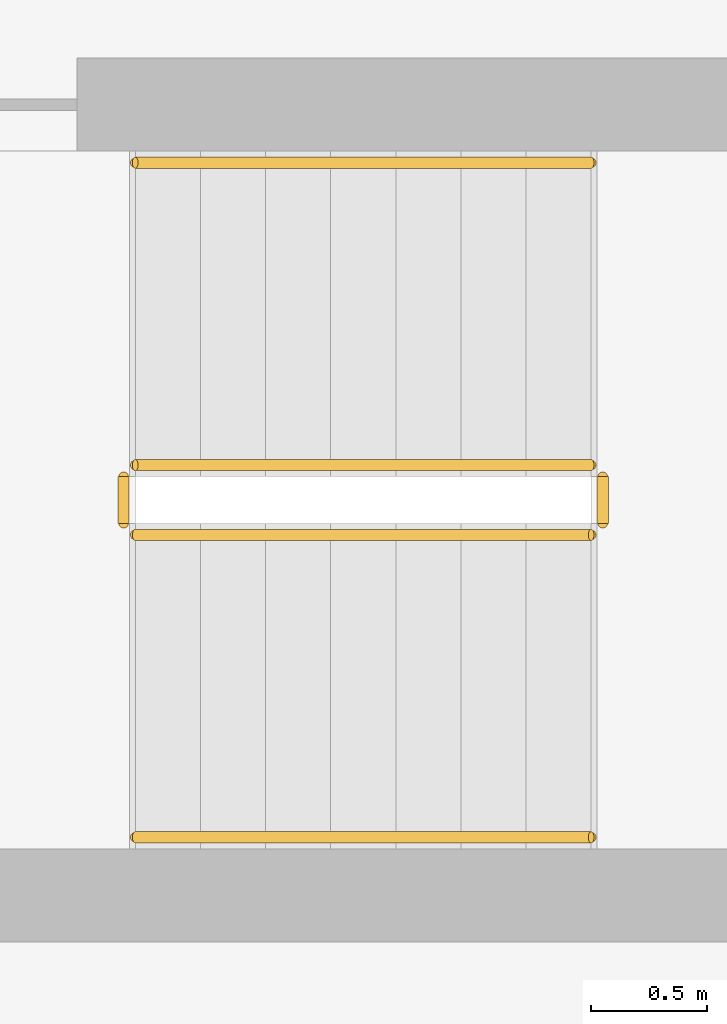
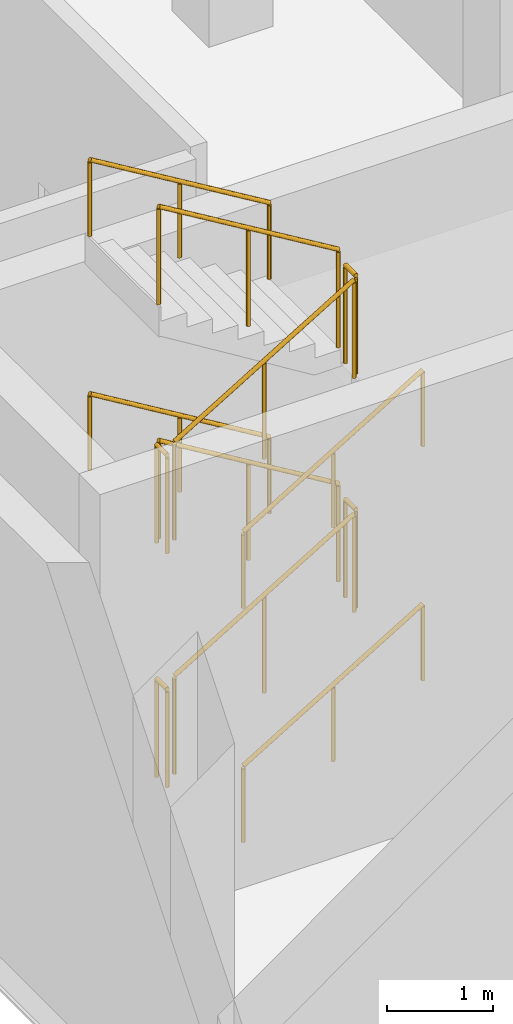
# One storey, part 32 of 36: 12 railings.
"""IFC4 building model written with IfcOpenShell, lengths in metres."""

from ifc_helpers import new_model, si_unit, direction, frame, origin, origin_2d, place, context, subcontext, project, spatial, circle, extrude, material, type_object, element, save


model = new_model("IFC4")

# Units and contexts
model_context = context("Model", 3, precision=1e-05, world=origin(), true_north=direction((0.0, 1.0)))
body_context = subcontext(model_context, "Body", "Model", "MODEL_VIEW")
ifc_project = project(units=[si_unit("LENGTHUNIT", "METRE"), si_unit("AREAUNIT", "SQUARE_METRE"), si_unit("VOLUMEUNIT", "CUBIC_METRE"), si_unit("PLANEANGLEUNIT", "RADIAN"), si_unit("MASSUNIT", "GRAM", prefix="KILO")], contexts=[model_context])

# Site, building, storey
site_placement = place(None, origin())
site = spatial("IfcSite", under=ifc_project, at=site_placement, CompositionType="ELEMENT")
building_placement = place(site_placement, origin())
building = spatial("IfcBuilding", under=site, at=building_placement, Name="Barlavira Tower and Art Museum", CompositionType="ELEMENT")
storey_placement = place(building_placement, frame((0.0, 0.0, 11.39990234375)))
storey = spatial("IfcBuildingStorey", under=building, at=storey_placement, Name="L02", CompositionType="ELEMENT", Elevation=11.39990234375)

# Railings
ifc_material = material(Name="Brushed stainless steel", Category="steel")
railing_type_1 = type_object("IfcRailingType", Name="Interior Void and Landing Guard Railing 1150", PredefinedType="GUARDRAIL", material=ifc_material)
railing_1_placement = place(storey_placement, frame((32.070068359375, -18.25, 0.1689453125)))
element("IfcRailing", 1, at=railing_1_placement, inside=storey, type_object=railing_type_1, Name="L02 ST-M1 stair guard 1", PredefinedType="GUARDRAIL", context=body_context, shape_type="SweptSolid", body=[
    extrude(circle(Radius=0.02392578125, at=origin_2d()), frame((0.0, 0.0, 1.1259765625), z_axis=(0.856493463811, 0.0, 0.516157869696), x_axis=(0.0, 1.0, 0.0)), (0.0, 0.0, 1.0), 2.288330078125),
    extrude(circle(Radius=0.02099609375, at=origin_2d()), origin(), (0.0, 0.0, 1.0), 1.101806640625),
    extrude(circle(Radius=0.02099609375, at=origin_2d()), frame((0.97998046875, 0.0, 0.590576171875)), (0.0, 0.0, 1.0), 1.101806640625),
    extrude(circle(Radius=0.02099609375, at=origin_2d()), frame((1.9599609375, 0.0, 1.18115234375)), (0.0, 0.0, 1.0), 1.101806640625),
])
railing_2_placement = place(storey_placement, frame((34.080078125, -18.199951171875, 1.35009765625)))
element("IfcRailing", 2, at=railing_2_placement, inside=storey, type_object=railing_type_1, Name="L02 ST-M1 stair guard 2", PredefinedType="GUARDRAIL", context=body_context, shape_type="SweptSolid", body=[
    extrude(circle(Radius=0.02392578125, at=origin_2d()), frame((0.0, 0.0, 1.1259765625), z_axis=(0.0, 1.0, 0.0), x_axis=(-1.0, 0.0, 0.0)), (0.0, 0.0, 1.0), 0.199951171875),
    extrude(circle(Radius=0.02099609375, at=origin_2d()), origin(), (0.0, 0.0, 1.0), 1.101806640625),
    extrude(circle(Radius=0.02099609375, at=origin_2d()), frame((0.0, 0.199951171875, 0.0)), (0.0, 0.0, 1.0), 1.101806640625),
])
railing_3_placement = place(storey_placement, frame((34.030029296875, -17.949951171875, 1.518798828125)))
element("IfcRailing", 3, at=railing_3_placement, inside=storey, type_object=railing_type_1, Name="L02 ST-M1 stair guard 3", PredefinedType="GUARDRAIL", context=body_context, shape_type="SweptSolid", body=[
    extrude(circle(Radius=0.02392578125, at=origin_2d()), frame((0.0, 0.0, 1.1259765625), z_axis=(-0.856446297458, 0.0, 0.516236127728), x_axis=(0.0, -1.0, 0.0)), (0.0, 0.0, 1.0), 2.28857421875),
    extrude(circle(Radius=0.02099609375, at=origin_2d()), origin(), (0.0, 0.0, 1.0), 1.101806640625),
    extrude(circle(Radius=0.02099609375, at=origin_2d()), frame((-0.97998046875, 0.0, 0.5908203125)), (0.0, 0.0, 1.0), 1.101806640625),
    extrude(circle(Radius=0.02099609375, at=origin_2d()), frame((-1.9599609375, 0.0, 1.181396484375)), (0.0, 0.0, 1.0), 1.101806640625),
])
railing_4_placement = place(storey_placement, frame((32.02001953125, -18.199951171875, 2.7001953125)))
element("IfcRailing", 4, at=railing_4_placement, inside=storey, type_object=railing_type_1, Name="L02 ST-M1 stair guard 4", PredefinedType="GUARDRAIL", context=body_context, shape_type="SweptSolid", body=[
    extrude(circle(Radius=0.02392578125, at=origin_2d()), frame((0.0, 0.0, 1.1259765625), z_axis=(0.0, 1.0, 0.0), x_axis=(-1.0, 0.0, 0.0)), (0.0, 0.0, 1.0), 0.199951171875),
    extrude(circle(Radius=0.02099609375, at=origin_2d()), origin(), (0.0, 0.0, 1.0), 1.101806640625),
    extrude(circle(Radius=0.02099609375, at=origin_2d()), frame((0.0, 0.199951171875, 0.0)), (0.0, 0.0, 1.0), 1.101806640625),
])
railing_5_placement = place(storey_placement, frame((32.070068359375, -18.25, 2.868896484375)))
element("IfcRailing", 5, at=railing_5_placement, inside=storey, type_object=railing_type_1, Name="L02 ST-M1 stair guard 5", PredefinedType="GUARDRAIL", context=body_context, shape_type="SweptSolid", body=[
    extrude(circle(Radius=0.02392578125, at=origin_2d()), frame((0.0, 0.0, 1.1259765625), z_axis=(0.856493463811, 0.0, 0.516157869696), x_axis=(0.0, 1.0, 0.0)), (0.0, 0.0, 1.0), 2.288330078125),
    extrude(circle(Radius=0.02099609375, at=origin_2d()), origin(), (0.0, 0.0, 1.0), 1.101806640625),
    extrude(circle(Radius=0.02099609375, at=origin_2d()), frame((0.97998046875, 0.0, 0.590576171875)), (0.0, 0.0, 1.0), 1.101806640625),
    extrude(circle(Radius=0.02099609375, at=origin_2d()), frame((1.9599609375, 0.0, 1.18115234375)), (0.0, 0.0, 1.0), 1.101806640625),
])
railing_6_placement = place(storey_placement, frame((34.080078125, -18.199951171875, 4.050048828125)))
element("IfcRailing", 6, at=railing_6_placement, inside=storey, type_object=railing_type_1, Name="L02 ST-M1 stair guard 6", PredefinedType="GUARDRAIL", context=body_context, shape_type="SweptSolid", body=[
    extrude(circle(Radius=0.02392578125, at=origin_2d()), frame((0.0, 0.0, 1.1259765625), z_axis=(0.0, 1.0, 0.0), x_axis=(-1.0, 0.0, 0.0)), (0.0, 0.0, 1.0), 0.199951171875),
    extrude(circle(Radius=0.02099609375, at=origin_2d()), origin(), (0.0, 0.0, 1.0), 1.101806640625),
    extrude(circle(Radius=0.02099609375, at=origin_2d()), frame((0.0, 0.199951171875, 0.0)), (0.0, 0.0, 1.0), 1.101806640625),
])
railing_7_placement = place(storey_placement, frame((34.030029296875, -17.949951171875, 4.21875)))
element("IfcRailing", 7, at=railing_7_placement, inside=storey, type_object=railing_type_1, Name="L02 ST-M1 stair guard 7", PredefinedType="GUARDRAIL", context=body_context, shape_type="SweptSolid", body=[
    extrude(circle(Radius=0.02392578125, at=origin_2d()), frame((0.0, 0.0, 1.1259765625), z_axis=(-0.856446297458, 0.0, 0.516236127728), x_axis=(0.0, -1.0, 0.0)), (0.0, 0.0, 1.0), 2.28857421875),
    extrude(circle(Radius=0.02099609375, at=origin_2d()), origin(), (0.0, 0.0, 1.0), 1.101806640625),
    extrude(circle(Radius=0.02099609375, at=origin_2d()), frame((-0.97998046875, 0.0, 0.5908203125)), (0.0, 0.0, 1.0), 1.101806640625),
    extrude(circle(Radius=0.02099609375, at=origin_2d()), frame((-1.9599609375, 0.0, 1.181396484375)), (0.0, 0.0, 1.0), 1.101806640625),
])
railing_8_placement = place(storey_placement, frame((32.02001953125, -18.199951171875, 0.0)))
element("IfcRailing", 8, at=railing_8_placement, inside=storey, type_object=railing_type_1, Name="L02 ST-M1 stair guard 8", PredefinedType="GUARDRAIL", context=body_context, shape_type="SweptSolid", body=[
    extrude(circle(Radius=0.02392578125, at=origin_2d()), frame((0.0, 0.0, 1.1259765625), z_axis=(0.0, 1.0, 0.0), x_axis=(-1.0, 0.0, 0.0)), (0.0, 0.0, 1.0), 0.199951171875),
    extrude(circle(Radius=0.02099609375, at=origin_2d()), origin(), (0.0, 0.0, 1.0), 1.101806640625),
    extrude(circle(Radius=0.02099609375, at=origin_2d()), frame((0.0, 0.199951171875, 0.0)), (0.0, 0.0, 1.0), 1.101806640625),
])
railing_type_2 = type_object("IfcRailingType", Name="Stair Pitch Tubular Steel Handrail 920", PredefinedType="HANDRAIL", material=ifc_material)
railing_9_placement = place(storey_placement, frame((32.070068359375, -19.550048828125, 0.1689453125)))
element("IfcRailing", 9, at=railing_9_placement, inside=storey, type_object=railing_type_2, Name="L02 ST-M1 stair handrail 1", PredefinedType="HANDRAIL", context=body_context, shape_type="SweptSolid", body=[
    extrude(circle(Radius=0.02392578125, at=origin_2d()), frame((0.0, 0.0, 0.8759765625), z_axis=(0.856493463811, 0.0, 0.516157869696), x_axis=(0.0, 1.0, 0.0)), (0.0, 0.0, 1.0), 2.288330078125),
    extrude(circle(Radius=0.02099609375, at=origin_2d()), origin(), (0.0, 0.0, 1.0), 0.851806640625),
    extrude(circle(Radius=0.02099609375, at=origin_2d()), frame((0.97998046875, 0.0, 0.590576171875)), (0.0, 0.0, 1.0), 0.851806640625),
    extrude(circle(Radius=0.02099609375, at=origin_2d()), frame((1.9599609375, 0.0, 1.18115234375)), (0.0, 0.0, 1.0), 0.851806640625),
])
railing_10_placement = place(storey_placement, frame((34.030029296875, -16.64990234375, 1.518798828125)))
element("IfcRailing", 10, at=railing_10_placement, inside=storey, type_object=railing_type_2, Name="L02 ST-M1 stair handrail 2", PredefinedType="HANDRAIL", context=body_context, shape_type="SweptSolid", body=[
    extrude(circle(Radius=0.02392578125, at=origin_2d()), frame((0.0, 0.0, 0.8759765625), z_axis=(-0.856446297458, 0.0, 0.516236127728), x_axis=(0.0, -1.0, 0.0)), (0.0, 0.0, 1.0), 2.28857421875),
    extrude(circle(Radius=0.02099609375, at=origin_2d()), origin(), (0.0, 0.0, 1.0), 0.851806640625),
    extrude(circle(Radius=0.02099609375, at=origin_2d()), frame((-0.97998046875, 0.0, 0.5908203125)), (0.0, 0.0, 1.0), 0.851806640625),
    extrude(circle(Radius=0.02099609375, at=origin_2d()), frame((-1.9599609375, 0.0, 1.181396484375)), (0.0, 0.0, 1.0), 0.851806640625),
])
railing_11_placement = place(storey_placement, frame((32.070068359375, -19.550048828125, 2.868896484375)))
element("IfcRailing", 11, at=railing_11_placement, inside=storey, type_object=railing_type_2, Name="L02 ST-M1 stair handrail 3", PredefinedType="HANDRAIL", context=body_context, shape_type="SweptSolid", body=[
    extrude(circle(Radius=0.02392578125, at=origin_2d()), frame((0.0, 0.0, 0.8759765625), z_axis=(0.856493463811, 0.0, 0.516157869696), x_axis=(0.0, 1.0, 0.0)), (0.0, 0.0, 1.0), 2.288330078125),
    extrude(circle(Radius=0.02099609375, at=origin_2d()), origin(), (0.0, 0.0, 1.0), 0.851806640625),
    extrude(circle(Radius=0.02099609375, at=origin_2d()), frame((0.97998046875, 0.0, 0.590576171875)), (0.0, 0.0, 1.0), 0.851806640625),
    extrude(circle(Radius=0.02099609375, at=origin_2d()), frame((1.9599609375, 0.0, 1.18115234375)), (0.0, 0.0, 1.0), 0.851806640625),
])
railing_12_placement = place(storey_placement, frame((34.030029296875, -16.64990234375, 4.21875)))
element("IfcRailing", 12, at=railing_12_placement, inside=storey, type_object=railing_type_2, Name="L02 ST-M1 stair handrail 4", PredefinedType="HANDRAIL", context=body_context, shape_type="SweptSolid", body=[
    extrude(circle(Radius=0.02392578125, at=origin_2d()), frame((0.0, 0.0, 0.8759765625), z_axis=(-0.856446297458, 0.0, 0.516236127728), x_axis=(0.0, -1.0, 0.0)), (0.0, 0.0, 1.0), 2.28857421875),
    extrude(circle(Radius=0.02099609375, at=origin_2d()), origin(), (0.0, 0.0, 1.0), 0.851806640625),
    extrude(circle(Radius=0.02099609375, at=origin_2d()), frame((-0.97998046875, 0.0, 0.5908203125)), (0.0, 0.0, 1.0), 0.851806640625),
    extrude(circle(Radius=0.02099609375, at=origin_2d()), frame((-1.9599609375, 0.0, 1.181396484375)), (0.0, 0.0, 1.0), 0.851806640625),
])

save(model, "model.ifc")
